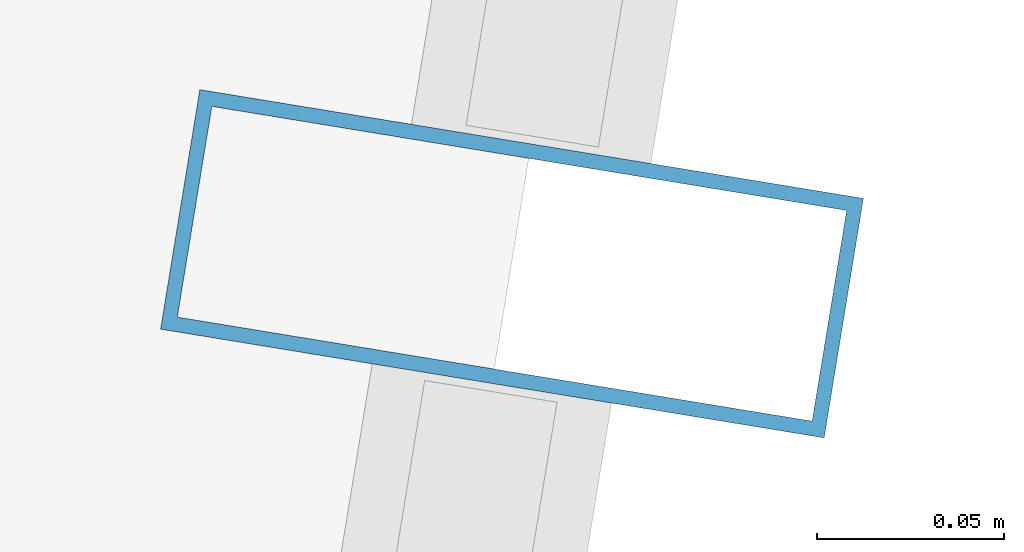
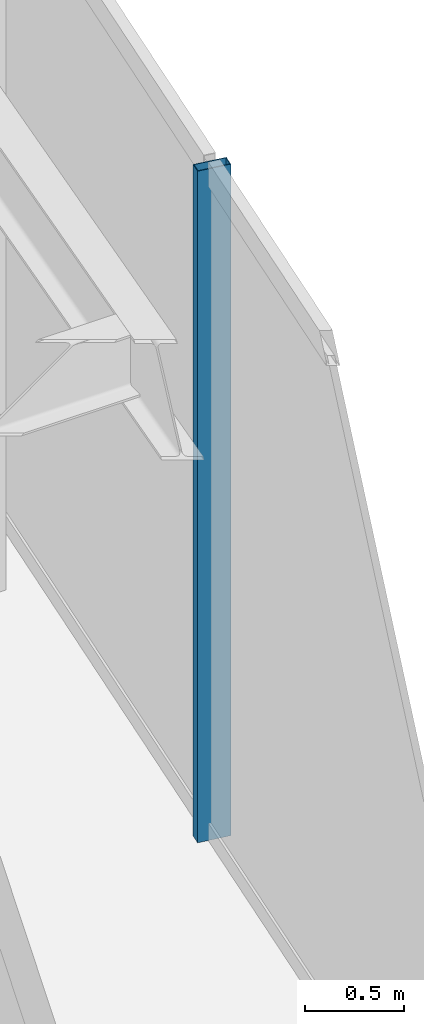
# One storey, part 20 of 40: 1 member, 1 element without a shape of its own.
"""IFC4 building model written with IfcOpenShell, lengths in metres."""

from ifc_helpers import new_model, si_unit, direction, frame, origin, origin_2d, place, context, subcontext, project, spatial, hollow_rectangle, extrude, material, material_profile, profile_set, type_object, element, aggregate, save


model = new_model("IFC4")

# Units and contexts
model_context = context("Model", 3, precision=1e-05, world=origin(), true_north=direction((0.0, 1.0)))
body_context = subcontext(model_context, "Body", "Model", "MODEL_VIEW")
ifc_project = project(units=[si_unit("LENGTHUNIT", "METRE"), si_unit("AREAUNIT", "SQUARE_METRE"), si_unit("VOLUMEUNIT", "CUBIC_METRE"), si_unit("PLANEANGLEUNIT", "RADIAN"), si_unit("MASSUNIT", "GRAM", prefix="KILO")], contexts=[model_context])

# Site, building, storey
site_placement = place(None, origin())
site = spatial("IfcSite", under=ifc_project, at=site_placement, CompositionType="ELEMENT")
building_placement = place(site_placement, origin())
building = spatial("IfcBuilding", under=site, at=building_placement, Name="Saevonmaru Cultural Tower", CompositionType="ELEMENT")
storey_placement = place(building_placement, frame((0.0, 0.0, 97.199951171875)))
storey = spatial("IfcBuildingStorey", under=building, at=storey_placement, Name="L20", CompositionType="ELEMENT", Elevation=97.199951171875)

# Curtain wall, member
ifc_material = material(Name="Satin Bronze Anodised Aluminium", Category="aluminium")
curtain_wall_type = type_object("IfcCurtainWallType", Name="CW-TYP-A", PredefinedType="NOTDEFINED", material=ifc_material)
curtain_wall_placement = place(storey_placement, origin())
curtain_wall = element("IfcCurtainWall", 1, at=curtain_wall_placement, inside=storey, type_object=curtain_wall_type, Name="L20 Unitised Curtain Wall E8", PredefinedType="NOTDEFINED")
ifc_material_profile = material_profile(ifc_material, hollow_rectangle(XDim=0.06494140625, YDim=0.179931640625, WallThickness=0.00390625, at=origin_2d()), Name="ALU-MULL-180x65x4")
ifc_profile_set = profile_set([ifc_material_profile], Name="Satin Bronze Anodised Aluminium")
member_type = type_object("IfcMemberType", Name="ML-CW-180x65", PredefinedType="MULLION", material=ifc_profile_set)
member_placement = place(storey_placement, frame((52.10009765625, 29.0, 0.0), z_axis=(0.0, 0.0, 1.0), x_axis=(0.161708868641, 0.986838508472, 0.0)))
member = element("IfcMember", 2, at=member_placement, type_object=member_type, Name="CW-TW-L20-E8 mullion 3", PredefinedType="MULLION", context=body_context, shape_type="SweptSolid", body=[
    extrude(hollow_rectangle(XDim=0.06494140625, YDim=0.179931640625, WallThickness=0.00390625, at=origin_2d()), origin(), (0.0, 0.0, 1.0), 4.150146484375),
])
aggregate(curtain_wall, [member])

save(model, "model.ifc")
